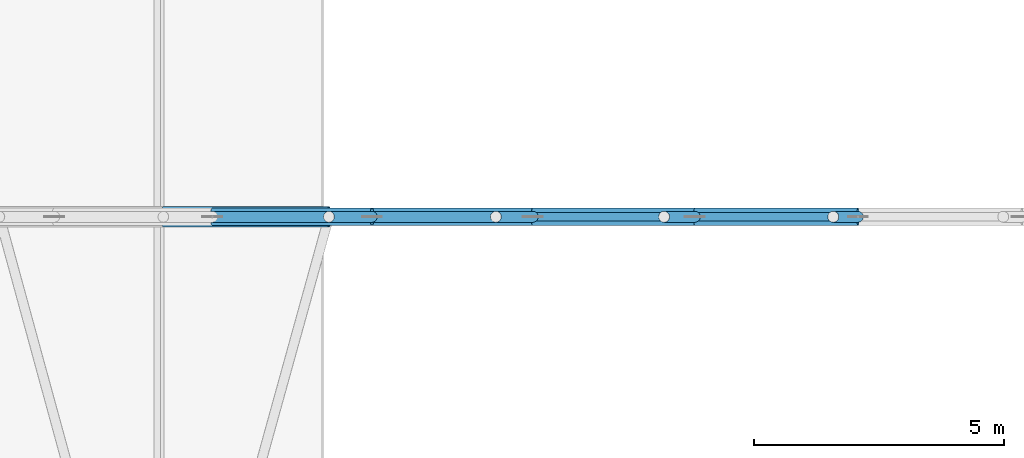
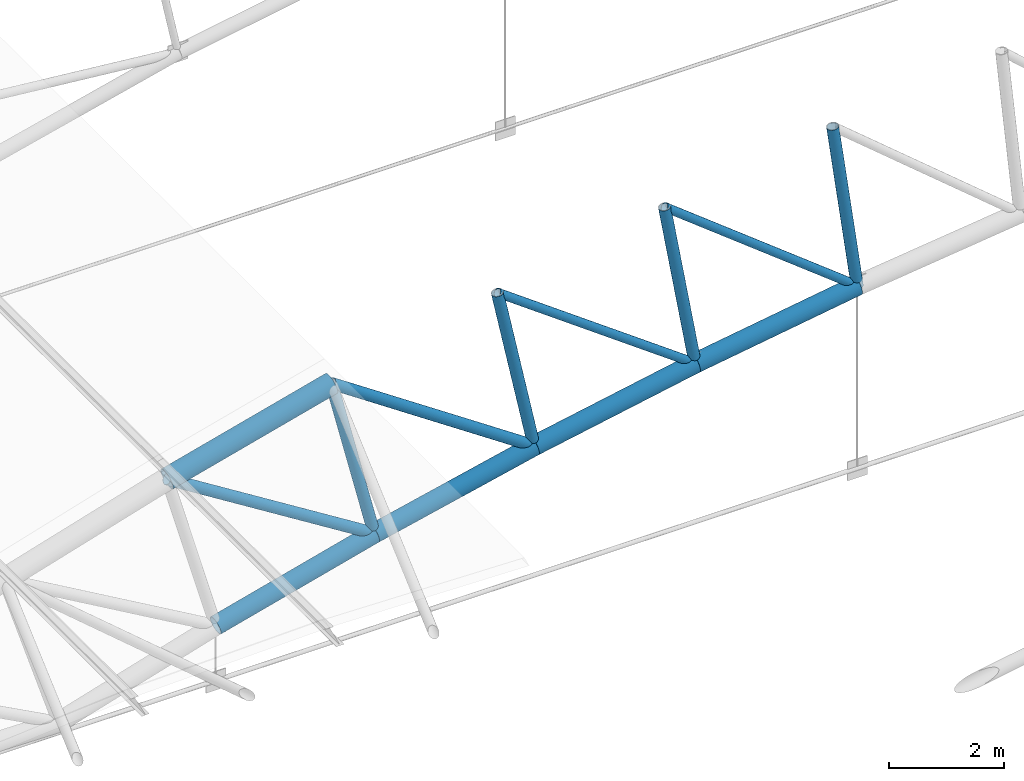
# One storey, part 83 of 321: 13 members.
"""IFC4 building model written with IfcOpenShell, lengths in metres."""

from ifc_helpers import new_model, si_unit, direction, frame, origin, origin_2d, place, context, subcontext, project, spatial, hollow_circle, extrude, material, material_profile, profile_set, type_object, element, save


model = new_model("IFC4")

# Units and contexts
model_context = context("Model", 3, precision=1e-05, world=origin(), true_north=direction((0.0, 1.0)))
body_context = subcontext(model_context, "Body", "Model", "MODEL_VIEW")
ifc_project = project(units=[si_unit("LENGTHUNIT", "METRE"), si_unit("AREAUNIT", "SQUARE_METRE"), si_unit("VOLUMEUNIT", "CUBIC_METRE"), si_unit("PLANEANGLEUNIT", "RADIAN"), si_unit("MASSUNIT", "GRAM", prefix="KILO")], contexts=[model_context])

# Site, building, storey
site_placement = place(None, origin())
site = spatial("IfcSite", under=ifc_project, at=site_placement, CompositionType="ELEMENT")
building_placement = place(site_placement, origin())
building = spatial("IfcBuilding", under=site, at=building_placement, Name="Ravi Spectrum Wholesale Market", CompositionType="ELEMENT")
storey_placement = place(building_placement, frame((0.0, 0.0, 10.800048828125)))
storey = spatial("IfcBuildingStorey", under=building, at=storey_placement, Name="L02", CompositionType="ELEMENT", Elevation=10.800048828125)

# Members
ifc_material_1 = material(Name="Steel S355", Category="steel")
ifc_material_profile_1 = material_profile(ifc_material_1, hollow_circle(Radius=0.084228515625, WallThickness=0.00634765625, at=origin_2d()))
ifc_profile_set_1 = profile_set([ifc_material_profile_1], Name="Steel S355")
member_type_1 = type_object("IfcMemberType", Name="CHS 168.3x6.3 brace", PredefinedType="BRACE", material=ifc_profile_set_1)
for number, where, z_axis, x_axis, name in (
    (1, (49.563720703125, 126.0, 6.27734375), (0.808703958366, 0.0, -0.588215868303), (0.0, 1.0, 0.0), "H1-MB-L02-725"),
    (2, (52.9326171875, 126.0, 6.92431640625), (0.787944778548, 0.0, -0.615745910225), (0.0, 1.0, 0.0), "H1-MB-L02-726"),
):
    element("IfcMember", number, at=place(storey_placement, frame(where, z_axis=z_axis, x_axis=x_axis)), inside=storey, type_object=member_type_1, Name=name, PredefinedType="BRACE", context=body_context, shape_type="SweptSolid", body=[
        extrude(hollow_circle(Radius=0.084228515625, WallThickness=0.00634765625, at=origin_2d()), origin(), (0.0, 0.0, 1.0), 4.9296875),
    ])
ifc_material_2 = material(Name="Steel S355", Category="steel")
ifc_material_profile_2 = material_profile(ifc_material_2, hollow_circle(Radius=0.109619140625, WallThickness=0.008056640625, at=origin_2d()))
ifc_profile_set_2 = profile_set([ifc_material_profile_2], Name="Steel S355")
member_type_2 = type_object("IfcMemberType", Name="CHS 219.1x8 brace", PredefinedType="BRACE", material=ifc_profile_set_2)
for number, where, z_axis, x_axis, name in (
    (3, (42.903076171875, 126.0, 4.63671875), (0.847368909482, 0.0, -0.531004643335), (0.0, 1.0, 0.0), "H1-MB-L02-723"),
    (4, (46.21923828125, 126.0, 5.514404296875), (0.828544259915, 0.0, -0.559923574573), (0.0, 1.0, 0.0), "H1-MB-L02-724"),
):
    element("IfcMember", number, at=place(storey_placement, frame(where, z_axis=z_axis, x_axis=x_axis)), inside=storey, type_object=member_type_2, Name=name, PredefinedType="BRACE", context=body_context, shape_type="SweptSolid", body=[
        extrude(hollow_circle(Radius=0.109619140625, WallThickness=0.008056640625, at=origin_2d()), origin(), (0.0, 0.0, 1.0), 4.9296875),
    ])
ifc_material_3 = material(Name="Steel S355", Category="steel")
ifc_material_profile_3 = material_profile(ifc_material_3, hollow_circle(Radius=0.109619140625, WallThickness=0.008056640625, at=origin_2d()))
ifc_profile_set_3 = profile_set([ifc_material_profile_3], Name="Steel S355")
member_type_3 = type_object("IfcMemberType", Name="CHS 219.1x8 post", PredefinedType="POST", material=ifc_profile_set_3)
member_1_placement = place(storey_placement, frame((46.21923828125, 126.0, 5.514404296875), z_axis=(0.239199072456, 0.0, -0.970970547306), x_axis=(0.0, 1.0, 0.0)))
element("IfcMember", 5, at=member_1_placement, inside=storey, type_object=member_type_3, Name="H1-MB-L02-701", PredefinedType="POST", context=body_context, shape_type="SweptSolid", body=[
    extrude(hollow_circle(Radius=0.109619140625, WallThickness=0.008056640625, at=origin_2d()), origin(), (0.0, 0.0, 1.0), 3.599853515625),
])
for number, where, z_axis, x_axis, name in (
    (6, (49.563720703125, 126.0, 6.27734375), (0.205549060287, 0.0, -0.978646812602), (0.0, 1.0, 0.0), "H1-MB-L02-702"),
    (7, (52.9326171875, 126.0, 6.92431640625), (0.171575852457, 0.0, -0.985170912509), (0.0, 1.0, 0.0), "H1-MB-L02-703"),
):
    element("IfcMember", number, at=place(storey_placement, frame(where, z_axis=z_axis, x_axis=x_axis)), inside=storey, type_object=member_type_3, Name=name, PredefinedType="POST", context=body_context, shape_type="SweptSolid", body=[
        extrude(hollow_circle(Radius=0.109619140625, WallThickness=0.008056640625, at=origin_2d()), origin(), (0.0, 0.0, 1.0), 3.60009765625),
    ])
member_2_placement = place(storey_placement, frame((56.321533203125, 126.0, 7.45458984375), z_axis=(0.137603486835, 0.0, -0.990487395382), x_axis=(0.0, 1.0, 0.0)))
element("IfcMember", 8, at=member_2_placement, inside=storey, type_object=member_type_3, Name="H1-MB-L02-704", PredefinedType="POST", context=body_context, shape_type="SweptSolid", body=[
    extrude(hollow_circle(Radius=0.109619140625, WallThickness=0.008056640625, at=origin_2d()), origin(), (0.0, 0.0, 1.0), 3.599853515625),
])
ifc_material_4 = material(Name="Steel S355", Category="steel")
ifc_material_profile_4 = material_profile(ifc_material_4, hollow_circle(Radius=0.177734375, WallThickness=0.012451171875, at=origin_2d()))
ifc_profile_set_4 = profile_set([ifc_material_profile_4], Name="Steel S355")
member_type_4 = type_object("IfcMemberType", Name="CHS 355.6x12.5 chord", PredefinedType="CHORD", material=ifc_profile_set_4)
for number, where, z_axis, x_axis, name in (
    (9, (43.88427734375, 126.0, 1.173095703125), (0.966710063159, 0.0, 0.255874292938), (0.0, 1.0, 0.0), "H1-MB-L02-677"),
    (10, (47.080322265625, 126.0, 2.01904296875), (0.974967923727, 0.0, 0.222345559217), (0.0, 1.0, 0.0), "H1-MB-L02-678"),
):
    element("IfcMember", number, at=place(storey_placement, frame(where, z_axis=z_axis, x_axis=x_axis)), inside=storey, type_object=member_type_4, Name=name, PredefinedType="CHORD", context=body_context, shape_type="SweptSolid", body=[
        extrude(hollow_circle(Radius=0.177734375, WallThickness=0.012451171875, at=origin_2d()), origin(), (0.0, 0.0, 1.0), 3.30615234375),
    ])
member_3_placement = place(storey_placement, frame((50.3037109375, 126.0, 2.754150390625), z_axis=(0.982051718756, 0.0, 0.188611828072), x_axis=(0.0, 1.0, 0.0)))
element("IfcMember", 11, at=member_3_placement, inside=storey, type_object=member_type_4, Name="H1-MB-L02-679", PredefinedType="CHORD", context=body_context, shape_type="SweptSolid", body=[
    extrude(hollow_circle(Radius=0.177734375, WallThickness=0.012451171875, at=origin_2d()), origin(), (0.0, 0.0, 1.0), 3.305908203125),
])
member_4_placement = place(storey_placement, frame((53.55029296875, 126.0, 3.377685546875), z_axis=(0.987973992944, 0.0, 0.154620145084), x_axis=(0.0, 1.0, 0.0)))
element("IfcMember", 12, at=member_4_placement, inside=storey, type_object=member_type_4, Name="H1-MB-L02-680", PredefinedType="CHORD", context=body_context, shape_type="SweptSolid", body=[
    extrude(hollow_circle(Radius=0.177734375, WallThickness=0.012451171875, at=origin_2d()), origin(), (0.0, 0.0, 1.0), 3.306396484375),
])
ifc_material_5 = material(Name="Steel S355", Category="steel")
ifc_material_profile_5 = material_profile(ifc_material_5, hollow_circle(Radius=0.203125, WallThickness=0.01611328125, at=origin_2d()))
ifc_profile_set_5 = profile_set([ifc_material_profile_5], Name="Steel S355")
member_type_5 = type_object("IfcMemberType", Name="CHS 406.4x16 chord", PredefinedType="CHORD", material=ifc_profile_set_5)
member_5_placement = place(storey_placement, frame((42.903076171875, 126.0, 4.63671875), z_axis=(0.966714030155, 0.0, 0.255859304896), x_axis=(0.0, 1.0, 0.0)))
element("IfcMember", 13, at=member_5_placement, inside=storey, type_object=member_type_5, Name="H1-MB-L02-653", PredefinedType="CHORD", context=body_context, shape_type="SweptSolid", body=[
    extrude(hollow_circle(Radius=0.203125, WallThickness=0.01611328125, at=origin_2d()), origin(), (0.0, 0.0, 1.0), 3.430419921875),
])

save(model, "model.ifc")
